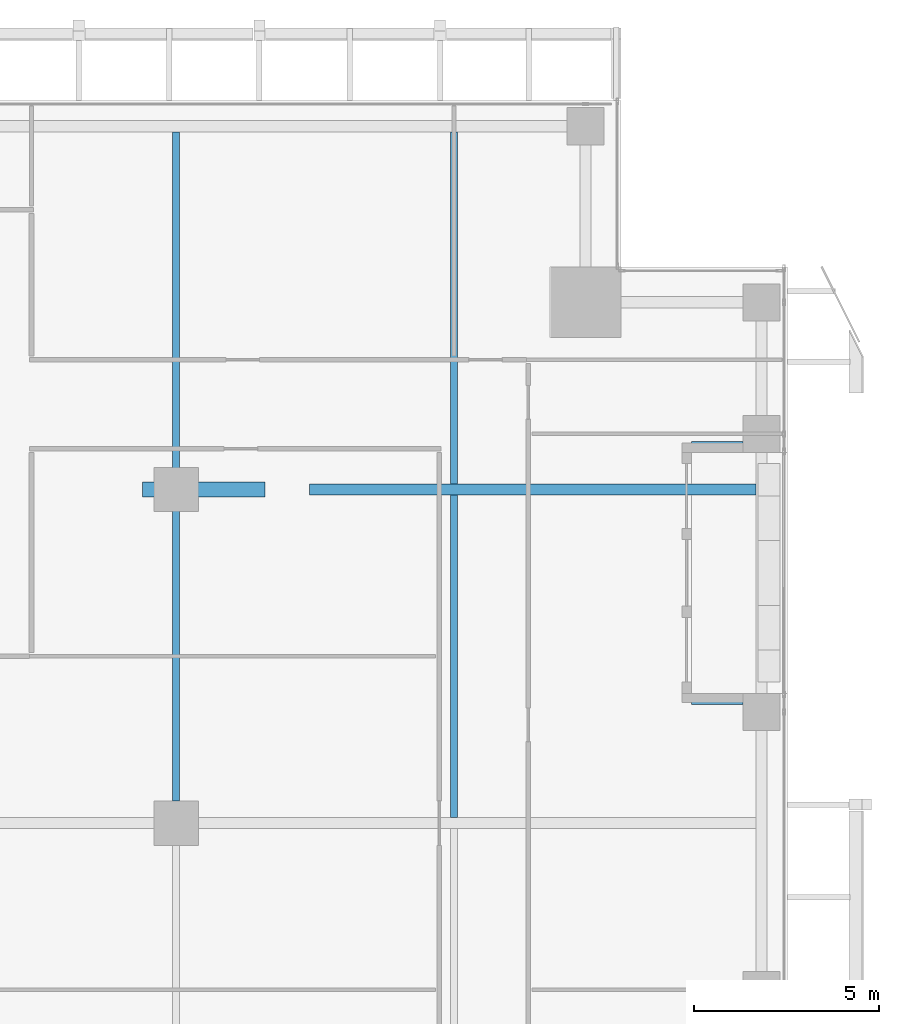
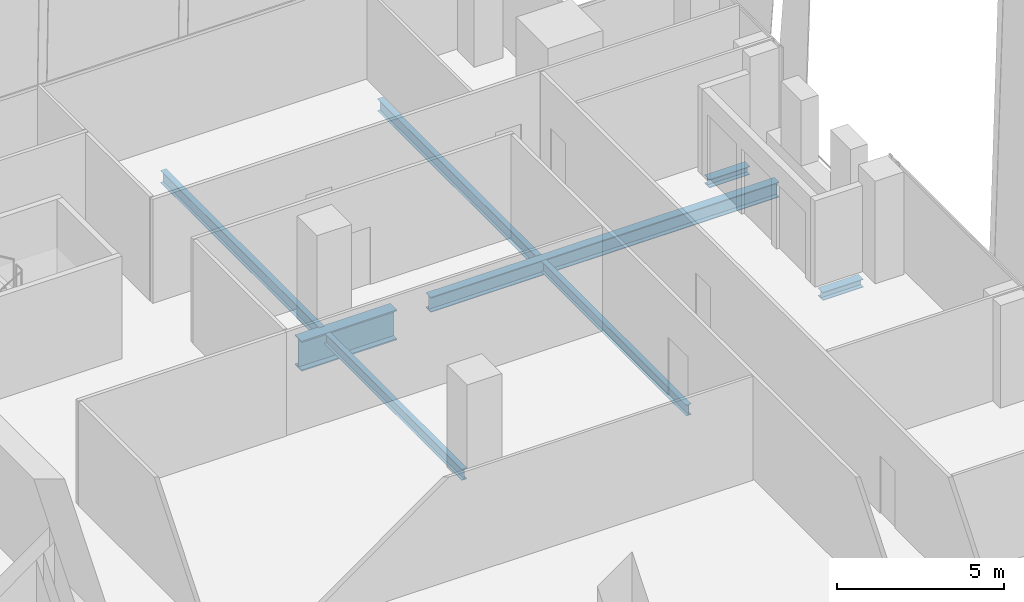
# One storey, part 18 of 35: 8 beams.
"""IFC4 building model written with IfcOpenShell, lengths in metres."""

from ifc_helpers import new_model, si_unit, direction, frame, origin, origin_2d, place, context, subcontext, project, spatial, i_section, extrude, source, transform, mapped, material, material_profile, profile_set, type_object, element, save


model = new_model("IFC4")

# Units and contexts
model_context = context("Model", 3, precision=1e-05, world=origin(), true_north=direction((0.0, 1.0)))
body_context = subcontext(model_context, "Body", "Model", "MODEL_VIEW")
ifc_project = project(units=[si_unit("LENGTHUNIT", "METRE"), si_unit("AREAUNIT", "SQUARE_METRE"), si_unit("VOLUMEUNIT", "CUBIC_METRE"), si_unit("PLANEANGLEUNIT", "RADIAN"), si_unit("MASSUNIT", "GRAM", prefix="KILO")], contexts=[model_context])

# Site, building, storey
site_placement = place(None, origin())
site = spatial("IfcSite", under=ifc_project, at=site_placement, CompositionType="ELEMENT")
building_placement = place(site_placement, origin())
building = spatial("IfcBuilding", under=site, at=building_placement, Name="Khomas Fold Tower", CompositionType="ELEMENT")
storey_placement = place(building_placement, frame((0.0, 0.0, 188.699951171875)))
storey = spatial("IfcBuildingStorey", under=building, at=storey_placement, Name="L41", CompositionType="ELEMENT", Elevation=188.699951171875)

# Beams
ifc_material_1 = material(Name="Steel S355", Category="steel")
ifc_material_profile_1 = material_profile(ifc_material_1, i_section(OverallWidth=0.179931640625, OverallDepth=0.39990234375, WebThickness=0.008544921875, FlangeThickness=0.013427734375, at=origin_2d()), Name="IPE 400")
ifc_profile_set_1 = profile_set([ifc_material_profile_1], Name="Steel S355")
beam_type_1 = type_object("IfcBeamType", Name="IPE 400 beam JB3", PredefinedType="BEAM", material=ifc_profile_set_1)
shared_shape_1 = source(origin(), body_context, "Body", "SweptSolid", [
    extrude(i_section(OverallWidth=0.179931640625, OverallDepth=0.39990234375, WebThickness=0.008544921875, FlangeThickness=0.013427734375, at=origin_2d()), origin(), (0.0, 0.0, 1.0), 8.7001953125),
])
beam_1_placement = place(storey_placement, frame((42.0, 31.64990234375, -0.449951171875), z_axis=(0.0, 1.0, 0.0), x_axis=(-1.0, 0.0, 0.0)))
element("IfcBeam", 1, at=beam_1_placement, inside=storey, type_object=beam_type_1, Name="JB3", PredefinedType="BEAM", context=body_context, shape_type="MappedRepresentation", body=[
    mapped(shared_shape_1, transform((0.0, 0.0, 0.0))),
])
ifc_material_2 = material(Name="Steel S355", Category="steel")
ifc_material_profile_2 = material_profile(ifc_material_2, i_section(OverallWidth=0.300048828125, OverallDepth=0.550048828125, WebThickness=0.014892578125, FlangeThickness=0.029052734375, at=origin_2d()), Name="HE 550 B")
ifc_profile_set_2 = profile_set([ifc_material_profile_2], Name="Steel S355")
beam_type_2 = type_object("IfcBeamType", Name="HE 550 B beam GB4", PredefinedType="BEAM", material=ifc_profile_set_2)
shared_shape_2 = source(origin(), body_context, "Body", "SweptSolid", [
    extrude(i_section(OverallWidth=0.300048828125, OverallDepth=0.550048828125, WebThickness=0.014892578125, FlangeThickness=0.029052734375, at=origin_2d()), origin(), (0.0, 0.0, 1.0), 12.0498046875),
])
beam_2_placement = place(storey_placement, frame((38.10009765625, 40.5, -0.52490234375), z_axis=(1.0, 0.0, 0.0), x_axis=(0.0, 1.0, 0.0)))
element("IfcBeam", 2, at=beam_2_placement, inside=storey, type_object=beam_type_2, Name="GB4", PredefinedType="BEAM", context=body_context, shape_type="MappedRepresentation", body=[
    mapped(shared_shape_2, transform((0.0, 0.0, 0.0))),
])
ifc_material_3 = material(Name="Steel S355", Category="steel")
ifc_material_profile_3 = material_profile(ifc_material_3, i_section(OverallWidth=0.300048828125, OverallDepth=0.300048828125, WebThickness=0.010986328125, FlangeThickness=0.01904296875, at=origin_2d()), Name="HE 300 B")
ifc_profile_set_3 = profile_set([ifc_material_profile_3], Name="Steel S355")
beam_type_3 = type_object("IfcBeamType", Name="HE 300 B beam BB1", PredefinedType="BEAM", material=ifc_profile_set_3)
shared_shape_3 = source(origin(), body_context, "Body", "SweptSolid", [
    extrude(i_section(OverallWidth=0.300048828125, OverallDepth=0.300048828125, WebThickness=0.010986328125, FlangeThickness=0.01904296875, at=origin_2d()), origin(), (0.0, 0.0, 1.0), 1.400146484375),
])
for number, where, z_axis, x_axis, name in (
    (3, (48.39990234375, 34.85009765625, -0.39990234375), (1.0, 0.0, 0.0), (0.0, 1.0, 0.0), "BB1"),
    (4, (48.39990234375, 41.64990234375, -0.39990234375), (1.0, 0.0, 0.0), (0.0, 1.0, 0.0), "BB1"),
):
    element("IfcBeam", number, at=place(storey_placement, frame(where, z_axis=z_axis, x_axis=x_axis)), inside=storey, type_object=beam_type_3, Name=name, PredefinedType="BEAM", context=body_context, shape_type="MappedRepresentation", body=[
        mapped(shared_shape_3, transform((0.0, 0.0, 0.0))),
    ])
ifc_material_4 = material(Name="Steel S460M", Category="steel")
ifc_material_profile_4 = material_profile(ifc_material_4, i_section(OverallWidth=0.39990234375, OverallDepth=1.10009765625, WebThickness=0.02197265625, FlangeThickness=0.044921875, at=origin_2d()), Name="PG 1100x400")
ifc_profile_set_4 = profile_set([ifc_material_profile_4], Name="Steel S460M")
beam_type_4 = type_object("IfcBeamType", Name="PG 1100x400 beam TG1", PredefinedType="BEAM", material=ifc_profile_set_4)
shared_shape_4 = source(origin(), body_context, "Body", "SweptSolid", [
    extrude(i_section(OverallWidth=0.39990234375, OverallDepth=1.10009765625, WebThickness=0.02197265625, FlangeThickness=0.044921875, at=origin_2d()), origin(), (0.0, 0.0, 1.0), 3.2998046875),
])
beam_3_placement = place(storey_placement, frame((33.60009765625, 40.5, -0.800048828125), z_axis=(1.0, 0.0, 0.0), x_axis=(0.0, 1.0, 0.0)))
element("IfcBeam", 5, at=beam_3_placement, inside=storey, type_object=beam_type_4, Name="TG1", PredefinedType="BEAM", context=body_context, shape_type="MappedRepresentation", body=[
    mapped(shared_shape_4, transform((0.0, 0.0, 0.0))),
])
ifc_material_5 = material(Name="Steel S355", Category="steel")
ifc_material_profile_5 = material_profile(ifc_material_5, i_section(OverallWidth=0.18994140625, OverallDepth=0.449951171875, WebThickness=0.009521484375, FlangeThickness=0.0146484375, at=origin_2d()), Name="IPE 450")
ifc_profile_set_5 = profile_set([ifc_material_profile_5], Name="Steel S355")
beam_type_5 = type_object("IfcBeamType", Name="IPE 450 beam JB4", PredefinedType="BEAM", material=ifc_profile_set_5)
shared_shape_5 = source(origin(), body_context, "Body", "SweptSolid", [
    extrude(i_section(OverallWidth=0.18994140625, OverallDepth=0.449951171875, WebThickness=0.009521484375, FlangeThickness=0.0146484375, at=origin_2d()), origin(), (0.0, 0.0, 1.0), 9.5),
])
for number, where, z_axis, x_axis, name in (
    (6, (34.5, 40.64990234375, -0.474853515625), (0.0, 1.0, 0.0), (-1.0, 0.0, 0.0), "JB4"),
    (7, (42.0, 40.64990234375, -0.474853515625), (0.0, 1.0, 0.0), (-1.0, 0.0, 0.0), "JB4"),
):
    element("IfcBeam", number, at=place(storey_placement, frame(where, z_axis=z_axis, x_axis=x_axis)), inside=storey, type_object=beam_type_5, Name=name, PredefinedType="BEAM", context=body_context, shape_type="MappedRepresentation", body=[
        mapped(shared_shape_5, transform((0.0, 0.0, 0.0))),
    ])
shared_shape_6 = source(origin(), body_context, "Body", "SweptSolid", [
    extrude(i_section(OverallWidth=0.179931640625, OverallDepth=0.39990234375, WebThickness=0.008544921875, FlangeThickness=0.013427734375, at=origin_2d()), origin(), (0.0, 0.0, 1.0), 8.25),
])
beam_4_placement = place(storey_placement, frame((34.5, 32.10009765625, -0.449951171875), z_axis=(0.0, 1.0, 0.0), x_axis=(-1.0, 0.0, 0.0)))
element("IfcBeam", 8, at=beam_4_placement, inside=storey, type_object=beam_type_1, Name="JB3", PredefinedType="BEAM", context=body_context, shape_type="MappedRepresentation", body=[
    mapped(shared_shape_6, transform((0.0, 0.0, 0.0))),
])

save(model, "model.ifc")
